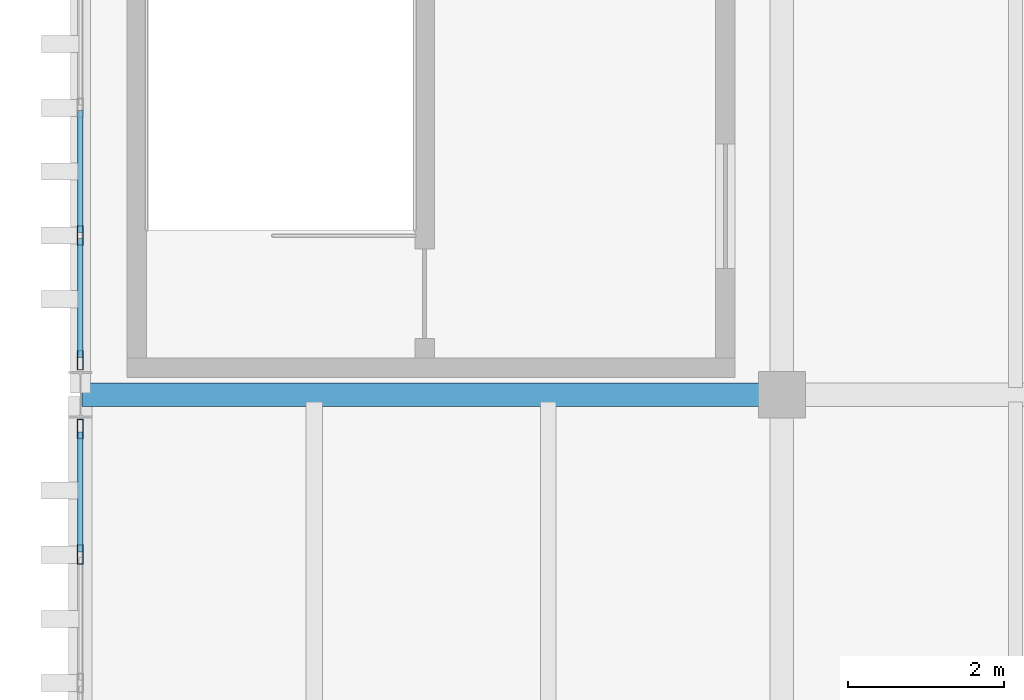
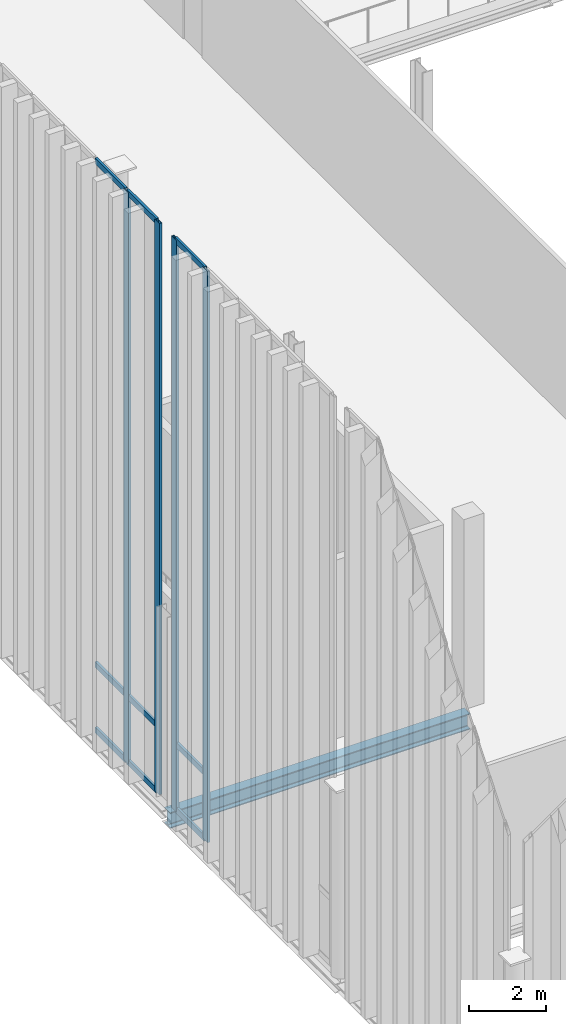
# One storey, part 37 of 237: 13 members, 1 beam, 2 elements without a shape of their own.
"""IFC4 building model written with IfcOpenShell, lengths in metres."""

import ifcopenshell
import ifcopenshell.guid

model = None  # the IFC model being written
_history = None  # IfcOwnerHistory: only IFC2X3 demands one
_inside = {}  # id of a spatial element -> (the spatial element, [elements in it])
_under = {}  # id of a project, library or spatial element -> (it, [spatial elements below it])
_declared = {}  # id of a project -> (the project, [libraries it declares])
_typed = {}  # id of a type object -> (the type object, [elements of that type])
_made_of = {}  # id of a material, layer set ... -> (it, [elements and type objects made of it])


def new_model(schema):
    """Start an empty IFC model of exactly this schema.

    Asked for "IFC4X3", IfcOpenShell would pick the latest addendum, in which some entities
    have other attributes; the version numbers below select the first issue.
    IFC2X3 requires an IfcOwnerHistory on every rooted entity: one is made here for all.
    """
    global model, _history
    if schema == "IFC4X3":
        model = ifcopenshell.file(schema_version=(4, 3, 0, 0))
    else:
        model = ifcopenshell.file(schema=schema)
    _inside.clear()
    _under.clear()
    _declared.clear()
    _typed.clear()
    _made_of.clear()
    _history = None
    if model.schema == "IFC2X3":
        org = make("IfcOrganization", Name="unknown")
        user = make(
            "IfcPersonAndOrganization",
            ThePerson=make("IfcPerson", FamilyName="unknown"),
            TheOrganization=org,
        )
        app = make(
            "IfcApplication",
            ApplicationDeveloper=org,
            Version="unknown",
            ApplicationFullName="unknown",
            ApplicationIdentifier="unknown",
        )
        _history = make(
            "IfcOwnerHistory",
            OwningUser=user,
            OwningApplication=app,
            ChangeAction="ADDED",
            CreationDate=0,
        )
    return model


def make(cls, **values):
    """One entity of the class cls with the attributes given. An attribute that is None is left unset."""
    return model.create_entity(
        cls, **{name: value for name, value in values.items() if value is not None}
    )


def rooted(cls, **values):
    """An entity with a GlobalId (a new one), such as an element, a storey or a relation."""
    return make(cls, GlobalId=ifcopenshell.guid.new(), OwnerHistory=_history, **values)


def si_unit(unit_type, name, prefix=None):
    """IfcSIUnit, for example si_unit("LENGTHUNIT", "METRE", prefix="MILLI")."""
    return make("IfcSIUnit", UnitType=unit_type, Prefix=prefix, Name=name)


def assignment(units):
    """IfcUnitAssignment: the units of a project."""
    return None if units is None else make("IfcUnitAssignment", Units=units)


def point(xyz):
    """IfcCartesianPoint."""
    return None if xyz is None else make("IfcCartesianPoint", Coordinates=xyz)


def direction(xyz):
    """IfcDirection."""
    return None if xyz is None else make("IfcDirection", DirectionRatios=xyz)


def frame(location, z_axis=None, x_axis=None):
    """IfcAxis2Placement3D, a coordinate frame: its origin and axes. An axis left out is left unset."""
    return make(
        "IfcAxis2Placement3D",
        Location=point(location),
        Axis=direction(z_axis),
        RefDirection=direction(x_axis),
    )


def frame_2d(location, x_axis=None):
    """IfcAxis2Placement2D, a coordinate frame in the plane: its origin and x axis."""
    return make(
        "IfcAxis2Placement2D", Location=point(location), RefDirection=direction(x_axis)
    )


def origin():
    """The frame at (0, 0, 0) with its axes left unset."""
    return frame((0.0, 0.0, 0.0))


def origin_2d():
    """The frame at (0, 0) in the plane with its x axis left unset."""
    return frame_2d((0.0, 0.0))


def place(relative_to, where):
    """IfcLocalPlacement: puts the frame where relative to a parent placement (None: the world)."""
    return make(
        "IfcLocalPlacement", PlacementRelTo=relative_to, RelativePlacement=where
    )


def context(
    kind, dimensions, precision=None, world=None, true_north=None, identifier=None
):
    """IfcGeometricRepresentationContext, for example the 3D "Model" context."""
    return make(
        "IfcGeometricRepresentationContext",
        ContextIdentifier=identifier,
        ContextType=kind,
        CoordinateSpaceDimension=dimensions,
        Precision=precision,
        WorldCoordinateSystem=world,
        TrueNorth=true_north,
    )


def subcontext(parent, identifier, kind, view, scale=None):
    """IfcGeometricRepresentationSubContext, for example "Body" below "Model"."""
    return make(
        "IfcGeometricRepresentationSubContext",
        ContextIdentifier=identifier,
        ContextType=kind,
        ParentContext=parent,
        TargetScale=scale,
        TargetView=view,
    )


def project(units=None, contexts=None):
    """IfcProject with its units and contexts."""
    return rooted(
        "IfcProject",
        Name="project",
        RepresentationContexts=contexts,
        UnitsInContext=assignment(units),
    )


def spatial(cls, under=None, at=None, **own):
    """A site, building, storey or space (cls), placed at a placement, below another one or the project."""
    s = rooted(cls, ObjectPlacement=at, **own)
    if under is not None:
        _under.setdefault(under.id(), (under, []))[1].append(s)
    return s


def profile(cls, at=None, kind="AREA", **sizes):
    """A parametric profile (cls). Its sizes go by their IFC names, for example OverallWidth=200.0."""
    return make(cls, ProfileType=kind, Position=at, **sizes)


def hollow_rectangle(**sizes):
    """IfcRectangleHollowProfileDef."""
    return profile("IfcRectangleHollowProfileDef", **sizes)


def i_section(**sizes):
    """IfcIShapeProfileDef."""
    return profile("IfcIShapeProfileDef", **sizes)


def extrude(swept, where, along, depth):
    """IfcExtrudedAreaSolid: the profile swept, set in the frame where, extruded along a direction by depth."""
    return make(
        "IfcExtrudedAreaSolid",
        SweptArea=swept,
        Position=where,
        ExtrudedDirection=direction(along),
        Depth=depth,
    )


def shape(context_of_items, identifier, shape_type, items):
    """IfcShapeRepresentation: the items that make up one representation, for example the "Body"."""
    return make(
        "IfcShapeRepresentation",
        ContextOfItems=context_of_items,
        RepresentationIdentifier=identifier,
        RepresentationType=shape_type,
        Items=items,
    )


def material(Name=None, Category=None):
    """IfcMaterial."""
    return make("IfcMaterial", Name=Name, Category=Category)


def layer(
    of_material, thickness, ventilated=None, Name=None, Category=None, Priority=None
):
    """IfcMaterialLayer: one layer of a wall or slab, of a material (None: an air gap)."""
    return make(
        "IfcMaterialLayer",
        Material=of_material,
        LayerThickness=thickness,
        IsVentilated=ventilated,
        Name=Name,
        Category=Category,
        Priority=Priority,
    )


def layer_set(layers, Name=None):
    """IfcMaterialLayerSet."""
    return make("IfcMaterialLayerSet", MaterialLayers=layers, LayerSetName=Name)


def material_profile(
    of_material, cross_section, Name=None, Category=None, Priority=None
):
    """IfcMaterialProfile: a cross section and its material."""
    return make(
        "IfcMaterialProfile",
        Name=Name,
        Material=of_material,
        Profile=cross_section,
        Priority=Priority,
        Category=Category,
    )


def profile_set(profiles, Name=None, composite=None):
    """IfcMaterialProfileSet."""
    return make(
        "IfcMaterialProfileSet",
        Name=Name,
        MaterialProfiles=profiles,
        CompositeProfile=composite,
    )


def made_of(thing, what):
    """Note that an element or type object is made of a material, layer set ...; save() writes the relation."""
    if what is not None:
        _made_of.setdefault(what.id(), (what, []))[1].append(thing)
    return thing


def type_object(cls, material=None, **own):
    """A type object (cls), such as IfcWallType, which elements share."""
    return made_of(rooted(cls, **own), material)


def element(
    cls,
    number,
    at=None,
    inside=None,
    cuts=None,
    type_object=None,
    material=None,
    context=None,
    identifier="Body",
    shape_type=None,
    held_by="IfcProductDefinitionShape",
    body=None,
    shapes=None,
    **own,
):
    """One element of the class cls, such as IfcWall. Its Tag is "e" and its number.

    at: its placement. inside: the storey or other place that contains it. cuts: it is an
    opening in that element (IfcRelVoidsElement). A single representation is given by context,
    identifier, shape_type and body (its items); several are given by shapes. held_by: the class
    of the entity that holds the representations. save() writes the other relations.
    """
    e = rooted(cls, Tag="e%d" % number, ObjectPlacement=at, **own)
    if body is not None:
        shapes = [shape(context, identifier, shape_type, body)]
    if shapes is not None:
        e.Representation = make(held_by, Representations=shapes)
    if inside is not None:
        _inside.setdefault(inside.id(), (inside, []))[1].append(e)
    if cuts is not None:
        rooted(
            "IfcRelVoidsElement", RelatingBuildingElement=cuts, RelatedOpeningElement=e
        )
    if type_object is not None:
        _typed.setdefault(type_object.id(), (type_object, []))[1].append(e)
    return made_of(e, material)


def aggregate(whole, parts):
    """IfcRelAggregates: a whole, such as a stair, and the parts it consists of."""
    return rooted("IfcRelAggregates", RelatingObject=whole, RelatedObjects=parts)


def save(model, path):
    """Write the relations noted so far, then the file.

    IfcRelAggregates (storeys below a building ...), IfcRelContainedInSpatialStructure (elements
    in a storey), IfcRelDefinesByType, IfcRelAssociatesMaterial and IfcRelDeclares: one each for
    every whole, place, type object, material and project.
    """
    for whole, parts in _under.values():
        aggregate(whole, parts)
    for where, things in _inside.values():
        rooted(
            "IfcRelContainedInSpatialStructure",
            RelatedElements=things,
            RelatingStructure=where,
        )
    for kind, things in _typed.values():
        rooted("IfcRelDefinesByType", RelatedObjects=things, RelatingType=kind)
    for what, things in _made_of.values():
        rooted("IfcRelAssociatesMaterial", RelatedObjects=things, RelatingMaterial=what)
    for by, libraries in _declared.values():
        rooted("IfcRelDeclares", RelatingContext=by, RelatedDefinitions=libraries)
    model.write(path)


model = new_model("IFC4")

# Units and contexts
model_context = context("Model", 3, precision=1e-05, world=origin(), true_north=direction((0.0, 1.0)))
body_context = subcontext(model_context, "Body", "Model", "MODEL_VIEW")
ifc_project = project(units=[si_unit("LENGTHUNIT", "METRE"), si_unit("AREAUNIT", "SQUARE_METRE"), si_unit("VOLUMEUNIT", "CUBIC_METRE"), si_unit("PLANEANGLEUNIT", "RADIAN"), si_unit("MASSUNIT", "GRAM", prefix="KILO")], contexts=[model_context])

# Site, building, storey
site_placement = place(None, origin())
site = spatial("IfcSite", under=ifc_project, at=site_placement, CompositionType="ELEMENT")
building_placement = place(site_placement, origin())
building = spatial("IfcBuilding", under=site, at=building_placement, Name="Barlavento Convention Centre", CompositionType="ELEMENT")
storey_placement = place(building_placement, frame((0.0, 0.0, 12.0)))
storey = spatial("IfcBuildingStorey", under=building, at=storey_placement, Name="L02", CompositionType="ELEMENT", Elevation=12.0)

# Curtain wall, members
ifc_material_1 = material(Name="Powder-coated aluminium and Low-E glass", Category="aluminium")
ifc_layer = layer(ifc_material_1, 0.18994140625)
ifc_layer_set = layer_set([ifc_layer], Name="ARC-CW-CONG-L02")
curtain_wall_type = type_object("IfcCurtainWallType", Name="ARC-CW-CONG-L02", PredefinedType="NOTDEFINED", material=ifc_layer_set)
curtain_wall_1_placement = place(storey_placement, origin())
curtain_wall_1 = element("IfcCurtainWall", 1, at=curtain_wall_1_placement, inside=storey, type_object=curtain_wall_type, Name="L02 unitised curtain wall CW02", PredefinedType="NOTDEFINED")
ifc_material_2 = material(Name="Powder-coated aluminium", Category="aluminium")
ifc_material_profile_1 = material_profile(ifc_material_2, hollow_rectangle(XDim=0.074951171875, YDim=0.25, WallThickness=0.006103515625, at=origin_2d()), Name="AL-MULL 75x250x6")
ifc_profile_set_1 = profile_set([ifc_material_profile_1], Name="Powder-coated aluminium")
member_type_1 = type_object("IfcMemberType", Name="ARC-CWM-75X250", PredefinedType="MULLION", material=ifc_profile_set_1)
member_1_placement = place(storey_placement, frame((0.0, 15.94775390625, 0.0), z_axis=(0.0, 0.0, 1.0), x_axis=(-1.0, 0.0, 0.0)))
member_1 = element("IfcMember", 2, at=member_1_placement, type_object=member_type_1, Name="CW02 mullion 5", PredefinedType="MULLION", context=body_context, shape_type="SweptSolid", body=[
    extrude(hollow_rectangle(XDim=0.074951171875, YDim=0.25, WallThickness=0.006103515625, at=origin_2d()), origin(), (0.0, 0.0, 1.0), 18.037109375),
])
member_2_placement = place(storey_placement, frame((0.0, 17.5576171875, 0.0), z_axis=(0.0, 0.0, 1.0), x_axis=(-1.0, 0.0, 0.0)))
member_2 = element("IfcMember", 3, at=member_2_placement, type_object=member_type_1, Name="CW02 mullion 6", PredefinedType="MULLION", context=body_context, shape_type="SweptSolid", body=[
    extrude(hollow_rectangle(XDim=0.074951171875, YDim=0.25, WallThickness=0.006103515625, at=origin_2d()), origin(), (0.0, 0.0, 1.0), 18.037109375),
])

curtain_wall_2_placement = place(storey_placement, origin())
curtain_wall_2 = element("IfcCurtainWall", 4, at=curtain_wall_2_placement, inside=storey, type_object=curtain_wall_type, Name="L02 unitised curtain wall CW02", PredefinedType="NOTDEFINED")
member_3_placement = place(storey_placement, frame((0.0, 18.4423828125, 0.0), z_axis=(0.0, 0.0, 1.0), x_axis=(-1.0, 0.0, 0.0)))
member_3 = element("IfcMember", 5, at=member_3_placement, type_object=member_type_1, Name="CW02 mullion 1", PredefinedType="MULLION", context=body_context, shape_type="SweptSolid", body=[
    extrude(hollow_rectangle(XDim=0.074951171875, YDim=0.25, WallThickness=0.006103515625, at=origin_2d()), origin(), (0.0, 0.0, 1.0), 18.037109375),
])
member_4_placement = place(storey_placement, frame((0.0, 20.04296875, 0.0), z_axis=(0.0, 0.0, 1.0), x_axis=(-1.0, 0.0, 0.0)))
member_4 = element("IfcMember", 6, at=member_4_placement, type_object=member_type_1, Name="CW02 mullion 2", PredefinedType="MULLION", context=body_context, shape_type="SweptSolid", body=[
    extrude(hollow_rectangle(XDim=0.074951171875, YDim=0.25, WallThickness=0.006103515625, at=origin_2d()), origin(), (0.0, 0.0, 1.0), 18.037109375),
])

# Member
ifc_material_profile_2 = material_profile(ifc_material_2, hollow_rectangle(XDim=0.070068359375, YDim=0.179931640625, WallThickness=0.0048828125, at=origin_2d()), Name="AL-TRAN 70x180x5")
ifc_profile_set_2 = profile_set([ifc_material_profile_2], Name="Powder-coated aluminium")
member_type_2 = type_object("IfcMemberType", Name="ARC-CWT-70X180", PredefinedType="USERDEFINED", material=ifc_profile_set_2)
member_5_placement = place(storey_placement, frame((0.0, 15.9853515625, 0.034912109375), z_axis=(0.0, 1.0, 0.0), x_axis=(-1.0, 0.0, 0.0)))
member_5 = element("IfcMember", 7, at=member_5_placement, type_object=member_type_2, Name="CW02 transom 5.1", ObjectType="TRANSOM", PredefinedType="USERDEFINED", context=body_context, shape_type="SweptSolid", body=[
    extrude(hollow_rectangle(XDim=0.070068359375, YDim=0.179931640625, WallThickness=0.0048828125, at=origin_2d()), origin(), (0.0, 0.0, 1.0), 1.53466796875),
])

member_6_placement = place(storey_placement, frame((0.0, 15.9853515625, 2.10009765625), z_axis=(0.0, 1.0, 0.0), x_axis=(-1.0, 0.0, 0.0)))
member_6 = element("IfcMember", 8, at=member_6_placement, type_object=member_type_2, Name="CW02 transom 5.2", ObjectType="TRANSOM", PredefinedType="USERDEFINED", context=body_context, shape_type="SweptSolid", body=[
    extrude(hollow_rectangle(XDim=0.070068359375, YDim=0.179931640625, WallThickness=0.0048828125, at=origin_2d()), origin(), (0.0, 0.0, 1.0), 1.53466796875),
])

member_7_placement = place(storey_placement, frame((0.0, 15.9853515625, 18.001953125), z_axis=(0.0, 1.0, 0.0), x_axis=(-1.0, 0.0, 0.0)))
member_7 = element("IfcMember", 9, at=member_7_placement, type_object=member_type_2, Name="CW02 transom 5.3", ObjectType="TRANSOM", PredefinedType="USERDEFINED", context=body_context, shape_type="SweptSolid", body=[
    extrude(hollow_rectangle(XDim=0.070068359375, YDim=0.179931640625, WallThickness=0.0048828125, at=origin_2d()), origin(), (0.0, 0.0, 1.0), 1.53466796875),
])

aggregate(curtain_wall_1, [member_1, member_2, member_5, member_6, member_7])

member_8_placement = place(storey_placement, frame((0.0, 18.47998046875, 0.034912109375), z_axis=(0.0, 1.0, 0.0), x_axis=(-1.0, 0.0, 0.0)))
member_8 = element("IfcMember", 10, at=member_8_placement, type_object=member_type_2, Name="CW02 transom 1.1", ObjectType="TRANSOM", PredefinedType="USERDEFINED", context=body_context, shape_type="SweptSolid", body=[
    extrude(hollow_rectangle(XDim=0.070068359375, YDim=0.179931640625, WallThickness=0.0048828125, at=origin_2d()), origin(), (0.0, 0.0, 1.0), 1.525634765625),
])

member_9_placement = place(storey_placement, frame((0.0, 18.47998046875, 2.10009765625), z_axis=(0.0, 1.0, 0.0), x_axis=(-1.0, 0.0, 0.0)))
member_9 = element("IfcMember", 11, at=member_9_placement, type_object=member_type_2, Name="CW02 transom 1.2", ObjectType="TRANSOM", PredefinedType="USERDEFINED", context=body_context, shape_type="SweptSolid", body=[
    extrude(hollow_rectangle(XDim=0.070068359375, YDim=0.179931640625, WallThickness=0.0048828125, at=origin_2d()), origin(), (0.0, 0.0, 1.0), 1.525634765625),
])

member_10_placement = place(storey_placement, frame((0.0, 18.47998046875, 18.001953125), z_axis=(0.0, 1.0, 0.0), x_axis=(-1.0, 0.0, 0.0)))
member_10 = element("IfcMember", 12, at=member_10_placement, type_object=member_type_2, Name="CW02 transom 1.3", ObjectType="TRANSOM", PredefinedType="USERDEFINED", context=body_context, shape_type="SweptSolid", body=[
    extrude(hollow_rectangle(XDim=0.070068359375, YDim=0.179931640625, WallThickness=0.0048828125, at=origin_2d()), origin(), (0.0, 0.0, 1.0), 1.525634765625),
])

member_11_placement = place(storey_placement, frame((0.0, 20.08056640625, 0.034912109375), z_axis=(0.0, 1.0, 0.0), x_axis=(-1.0, 0.0, 0.0)))
member_11 = element("IfcMember", 13, at=member_11_placement, type_object=member_type_2, Name="CW02 transom 2.1", ObjectType="TRANSOM", PredefinedType="USERDEFINED", context=body_context, shape_type="SweptSolid", body=[
    extrude(hollow_rectangle(XDim=0.070068359375, YDim=0.179931640625, WallThickness=0.0048828125, at=origin_2d()), origin(), (0.0, 0.0, 1.0), 1.56298828125),
])

member_12_placement = place(storey_placement, frame((0.0, 20.08056640625, 2.10009765625), z_axis=(0.0, 1.0, 0.0), x_axis=(-1.0, 0.0, 0.0)))
member_12 = element("IfcMember", 14, at=member_12_placement, type_object=member_type_2, Name="CW02 transom 2.2", ObjectType="TRANSOM", PredefinedType="USERDEFINED", context=body_context, shape_type="SweptSolid", body=[
    extrude(hollow_rectangle(XDim=0.070068359375, YDim=0.179931640625, WallThickness=0.0048828125, at=origin_2d()), origin(), (0.0, 0.0, 1.0), 1.56298828125),
])

member_13_placement = place(storey_placement, frame((0.0, 20.08056640625, 18.001953125), z_axis=(0.0, 1.0, 0.0), x_axis=(-1.0, 0.0, 0.0)))
member_13 = element("IfcMember", 15, at=member_13_placement, type_object=member_type_2, Name="CW02 transom 2.3", ObjectType="TRANSOM", PredefinedType="USERDEFINED", context=body_context, shape_type="SweptSolid", body=[
    extrude(hollow_rectangle(XDim=0.070068359375, YDim=0.179931640625, WallThickness=0.0048828125, at=origin_2d()), origin(), (0.0, 0.0, 1.0), 1.56298828125),
])

aggregate(curtain_wall_2, [member_3, member_4, member_8, member_9, member_10, member_11, member_12, member_13])

# Beam
ifc_material_3 = material(Name="Steel S355", Category="steel")
ifc_material_profile_3 = material_profile(ifc_material_3, i_section(OverallWidth=0.300048828125, OverallDepth=0.5, WebThickness=0.014404296875, FlangeThickness=0.028076171875, FilletRadius=0.027099609375, at=origin_2d()), Name="HEB 500")
ifc_profile_set_3 = profile_set([ifc_material_profile_3], Name="Steel S355")
beam_type = type_object("IfcBeamType", Name="STR-BM-PRI-HEB500", PredefinedType="BEAM", material=ifc_profile_set_3)
beam_placement = place(storey_placement, frame((0.02001953125, 18.0, -0.550048828125), z_axis=(1.0, 0.0, 0.0), x_axis=(0.0, 1.0, 0.0)))
element("IfcBeam", 16, at=beam_placement, inside=storey, type_object=beam_type, Name="L02 primary girder BG09", PredefinedType="BEAM", context=body_context, shape_type="SweptSolid", body=[
    extrude(i_section(OverallWidth=0.300048828125, OverallDepth=0.5, WebThickness=0.014404296875, FlangeThickness=0.028076171875, FilletRadius=0.027099609375, at=origin_2d()), origin(), (0.0, 0.0, 1.0), 8.9599609375),
])

save(model, "model.ifc")
